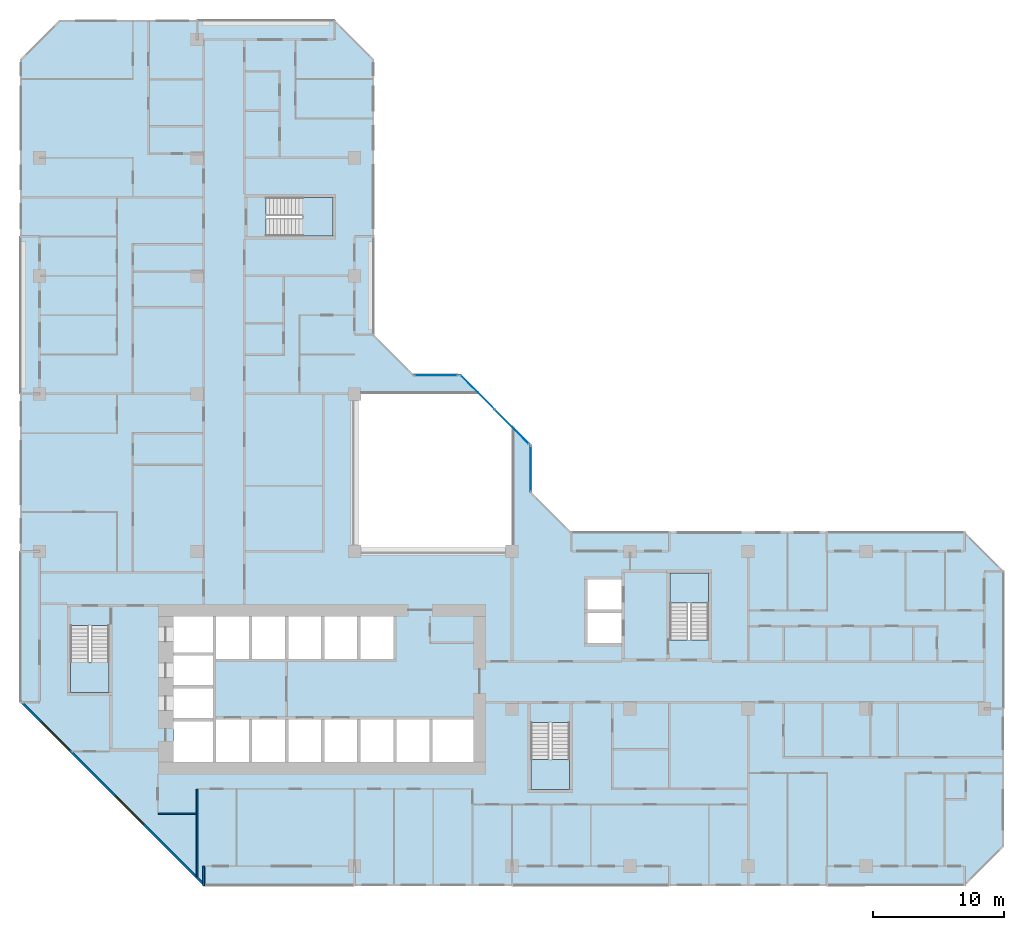
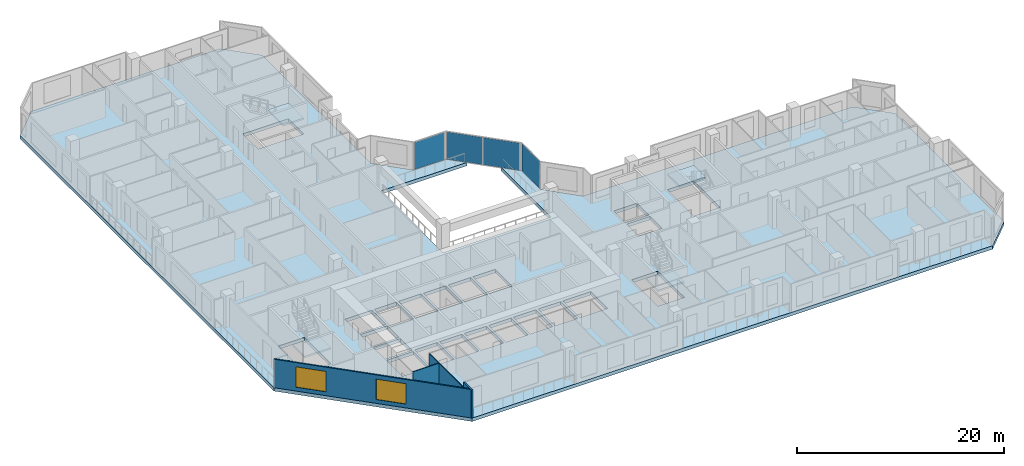
# One storey, part 3 of 16: 5 slabs, 4 plates, 4 walls, 2 windows, 2 openings, 7 elements without a shape of their own.
"""IFC4 building model written with IfcOpenShell, lengths in metres."""

from ifc_helpers import new_model, si_unit, direction, frame, frame_2d, origin, origin_2d, place, context, subcontext, project, spatial, polyline, rectangle, outline, extrude, material, layer, layer_set, type_object, element, fill, aggregate, save


model = new_model("IFC4")

# Units and contexts
model_context = context("Model", 3, precision=1e-05, world=origin(), true_north=direction((0.0, 1.0)))
body_context = subcontext(model_context, "Body", "Model", "MODEL_VIEW")
ifc_project = project(units=[si_unit("LENGTHUNIT", "METRE"), si_unit("AREAUNIT", "SQUARE_METRE"), si_unit("VOLUMEUNIT", "CUBIC_METRE"), si_unit("PLANEANGLEUNIT", "RADIAN"), si_unit("MASSUNIT", "GRAM", prefix="KILO")], contexts=[model_context])

# Site, building, storey
site_placement = place(None, origin())
site = spatial("IfcSite", under=ifc_project, at=site_placement, CompositionType="ELEMENT")
building_placement = place(site_placement, origin())
building = spatial("IfcBuilding", under=site, at=building_placement, Name="Chenar Terraces", CompositionType="ELEMENT")
storey_placement = place(building_placement, frame((0.0, 0.0, 103.14990234375)))
storey = spatial("IfcBuildingStorey", under=building, at=storey_placement, Name="L23", CompositionType="ELEMENT", Elevation=103.14990234375)

# Curtain wall, plate
ifc_material_1 = material(Name="Aluminium framed glazing", Category="aluminium")
ifc_layer_1 = layer(ifc_material_1, 0.14990234375)
ifc_layer_set_1 = layer_set([ifc_layer_1], Name="Aluminium framed glazing")
curtain_wall_type = type_object("IfcCurtainWallType", Name="Atrium curtain wall", PredefinedType="NOTDEFINED", material=ifc_layer_set_1)
placement_1 = place(storey_placement, origin())
curtain_wall_1 = element("IfcCurtainWall", 1, at=placement_1, inside=storey, type_object=curtain_wall_type, Name="Atrium curtain wall", PredefinedType="NOTDEFINED")
ifc_material_2 = material(Name="Low emissivity laminated glass, solar control coating", Category="glass")
ifc_layer_2 = layer(ifc_material_2, 0.028076171875)
ifc_layer_set_2 = layer_set([ifc_layer_2], Name="Low emissivity laminated glass, solar control coating")
plate_type = type_object("IfcPlateType", Name="Atrium glazing panel 28", PredefinedType="CURTAIN_PANEL", material=ifc_layer_set_2)
plate_1_placement = place(storey_placement, frame((37.425048828125, 30.300048828125, 0.06005859375), z_axis=(0.0, 0.0, 1.0), x_axis=(0.0, 1.0, 0.0)))
plate_1 = element("IfcPlate", 2, at=plate_1_placement, type_object=plate_type, Name="CW1-1 panel 1.1", PredefinedType="CURTAIN_PANEL", context=body_context, shape_type="SweptSolid", body=[
    extrude(rectangle(XDim=3.47998046875, YDim=0.028076171875, at=origin_2d()), origin(), (0.0, 0.0, 1.0), 3.22998046875),
])
aggregate(curtain_wall_1, [plate_1])

# Curtain wall, plates
curtain_wall_2 = element("IfcCurtainWall", 3, at=placement_1, inside=storey, type_object=curtain_wall_type, Name="Atrium curtain wall", PredefinedType="NOTDEFINED")
plate_2_placement = place(storey_placement, frame((35.980224609375, 33.513671875, 0.06005859375), z_axis=(0.0, 0.0, 1.0), x_axis=(-0.707106781187, 0.707106781187, 0.0)))
plate_2 = element("IfcPlate", 4, at=plate_2_placement, type_object=plate_type, Name="CW1-2 panel 1.1", PredefinedType="CURTAIN_PANEL", context=body_context, shape_type="SweptSolid", body=[
    extrude(rectangle(XDim=3.62841796875, YDim=0.028076171875, at=origin_2d()), origin(), (0.0, 0.0, 1.0), 3.22998046875),
])
plate_3_placement = place(storey_placement, frame((33.3720703125, 36.121826171875, 0.06005859375), z_axis=(0.0, 0.0, 1.0), x_axis=(-0.707106781187, 0.707106781187, 0.0)))
plate_3 = element("IfcPlate", 5, at=plate_3_placement, type_object=plate_type, Name="CW1-2 panel 2.1", PredefinedType="CURTAIN_PANEL", context=body_context, shape_type="SweptSolid", body=[
    extrude(rectangle(XDim=3.62841796875, YDim=0.028076171875, at=origin_2d()), origin(), (0.0, 0.0, 1.0), 3.22998046875),
])
aggregate(curtain_wall_2, [plate_2, plate_3])

# Curtain wall, plate
curtain_wall_3 = element("IfcCurtainWall", 6, at=placement_1, inside=storey, type_object=curtain_wall_type, Name="Atrium curtain wall", PredefinedType="NOTDEFINED")
plate_4_placement = place(storey_placement, frame((30.199951171875, 37.425048828125, 0.06005859375), z_axis=(0.0, 0.0, 1.0), x_axis=(-1.0, 0.0, 0.0)))
plate_4 = element("IfcPlate", 7, at=plate_4_placement, type_object=plate_type, Name="CW1-3 panel 1.1", PredefinedType="CURTAIN_PANEL", context=body_context, shape_type="SweptSolid", body=[
    extrude(rectangle(XDim=3.280029296875, YDim=0.028076171875, at=origin_2d()), origin(), (0.0, 0.0, 1.0), 3.22998046875),
])
aggregate(curtain_wall_3, [plate_4])

# Stair, slab
ifc_material_3 = material(Name="Reinforced concrete C40/50", Category="concrete")
stair_type = type_object("IfcStairType", Name="Core stair 1400 half-turn", PredefinedType="HALF_TURN_STAIR", material=ifc_material_3)
stair_1 = element("IfcStair", 8, at=placement_1, inside=storey, type_object=stair_type, Name="L23 Stair 1", PredefinedType="HALF_TURN_STAIR")
ifc_material_4 = material(Name="Reinforced concrete C40/50", Category="concrete")
ifc_layer_3 = layer(ifc_material_4, 0.199951171875)
ifc_layer_set_3 = layer_set([ifc_layer_3], Name="Reinforced concrete C40/50")
slab_type_1 = type_object("IfcSlabType", Name="Core stair landing 200", PredefinedType="LANDING", material=ifc_layer_set_3)
placement_2 = place(storey_placement, frame((0.0, 0.0, 1.675048828125)))
slab_1 = element("IfcSlab", 9, at=placement_2, type_object=slab_type_1, Name="ST1 landing 1", PredefinedType="LANDING", context=body_context, shape_type="SweptSolid", body=[
    extrude(outline(polyline([(2.35009765625, 15.550048828125), (2.35009765625, 13.25), (5.300048828125, 13.25), (5.300048828125, 15.550048828125), (2.35009765625, 15.550048828125)])), origin(), (0.0, 0.0, 1.0), 0.199951171875),
])
aggregate(stair_1, [slab_1])

stair_2 = element("IfcStair", 10, at=placement_1, inside=storey, type_object=stair_type, Name="L23 Stair 2", PredefinedType="HALF_TURN_STAIR")
slab_2 = element("IfcSlab", 11, at=placement_2, type_object=slab_type_1, Name="ST2 landing 1", PredefinedType="LANDING", context=body_context, shape_type="SweptSolid", body=[
    extrude(outline(polyline([(37.449951171875, 8.14990234375), (37.449951171875, 5.85009765625), (40.39990234375, 5.85009765625), (40.39990234375, 8.14990234375), (37.449951171875, 8.14990234375)])), origin(), (0.0, 0.0, 1.0), 0.199951171875),
])
aggregate(stair_2, [slab_2])

stair_3 = element("IfcStair", 12, at=placement_1, inside=storey, type_object=stair_type, Name="L23 Stair 3", PredefinedType="HALF_TURN_STAIR")
slab_3 = element("IfcSlab", 13, at=placement_2, type_object=slab_type_1, Name="ST3 landing 1", PredefinedType="LANDING", context=body_context, shape_type="SweptSolid", body=[
    extrude(outline(polyline([(50.97509765625, 20.050048828125), (50.97509765625, 22.35009765625), (48.02490234375, 22.35009765625), (48.02490234375, 20.050048828125), (50.97509765625, 20.050048828125)])), origin(), (0.0, 0.0, 1.0), 0.199951171875),
])
aggregate(stair_3, [slab_3])

stair_4 = element("IfcStair", 14, at=placement_1, inside=storey, type_object=stair_type, Name="L23 Stair 4", PredefinedType="HALF_TURN_STAIR")
slab_4 = element("IfcSlab", 15, at=placement_2, type_object=slab_type_1, Name="ST4 landing 1", PredefinedType="LANDING", context=body_context, shape_type="SweptSolid", body=[
    extrude(outline(polyline([(20.050048828125, 48.02490234375), (22.35009765625, 48.02490234375), (22.35009765625, 50.97509765625), (20.050048828125, 50.97509765625), (20.050048828125, 48.02490234375)])), origin(), (0.0, 0.0, 1.0), 0.199951171875),
])
aggregate(stair_4, [slab_4])

# Slab
ifc_material_5 = material(Name="Concrete C40/50", Category="concrete")
ifc_layer_4 = layer(ifc_material_5, 0.39990234375)
ifc_layer_set_4 = layer_set([ifc_layer_4], Name="Concrete C40/50")
slab_type_2 = type_object("IfcSlabType", Name="Floor slab 400 Concrete C40/50", PredefinedType="FLOOR", material=ifc_layer_set_4)
slab_5_placement = place(storey_placement, frame((0.0, 0.0, -0.39990234375)))
element("IfcSlab", 16, at=slab_5_placement, inside=storey, type_object=slab_type_2, Name="Floor slab L23", PredefinedType="FLOOR", context=body_context, shape_type="SweptSolid", body=[
    extrude(outline(polyline([(73.5, 22.5), (73.5, 1.5), (70.5, -1.5), (12.5, -1.5), (-1.5, 12.5), (-1.5, 61.5), (1.5, 64.5), (22.5, 64.5), (25.5, 61.5), (25.5, 40.5), (28.5, 37.5), (32.10009765625, 37.5), (33.60009765625, 36.0), (24.0, 36.0), (24.0, 24.0), (36.0, 24.0), (36.0, 33.60009765625), (37.5, 32.10009765625), (37.5, 28.5), (40.5, 25.5), (70.5, 25.5), (73.5, 22.5)]), holes=[polyline([(13.199951171875, 11.050048828125), (10.199951171875, 11.050048828125), (10.199951171875, 7.949951171875), (13.199951171875, 7.949951171875), (13.199951171875, 11.050048828125)]), polyline([(15.949951171875, 11.199951171875), (13.449951171875, 11.199951171875), (13.449951171875, 7.949951171875), (15.949951171875, 7.949951171875), (15.949951171875, 11.199951171875)]), polyline([(18.699951171875, 11.199951171875), (16.199951171875, 11.199951171875), (16.199951171875, 7.949951171875), (18.699951171875, 7.949951171875), (18.699951171875, 11.199951171875)]), polyline([(21.449951171875, 7.949951171875), (21.449951171875, 11.199951171875), (18.949951171875, 11.199951171875), (18.949951171875, 7.949951171875), (21.449951171875, 7.949951171875)]), polyline([(13.199951171875, 11.300048828125), (13.199951171875, 13.550048828125), (10.199951171875, 13.550048828125), (10.199951171875, 11.300048828125), (13.199951171875, 11.300048828125)]), polyline([(13.199951171875, 16.050048828125), (10.199951171875, 16.050048828125), (10.199951171875, 13.800048828125), (13.199951171875, 13.800048828125), (13.199951171875, 16.050048828125)]), polyline([(2.35009765625, 18.35009765625), (2.35009765625, 13.25), (5.300048828125, 13.25), (5.300048828125, 18.35009765625), (2.35009765625, 18.35009765625)]), polyline([(15.949951171875, 15.800048828125), (15.949951171875, 19.050048828125), (13.449951171875, 19.050048828125), (13.449951171875, 15.800048828125), (15.949951171875, 15.800048828125)]), polyline([(18.699951171875, 19.050048828125), (16.199951171875, 19.050048828125), (16.199951171875, 15.800048828125), (18.699951171875, 15.800048828125), (18.699951171875, 19.050048828125)]), polyline([(21.449951171875, 15.800048828125), (21.449951171875, 19.050048828125), (18.949951171875, 19.050048828125), (18.949951171875, 15.800048828125), (21.449951171875, 15.800048828125)]), polyline([(13.199951171875, 16.300048828125), (13.199951171875, 19.050048828125), (10.199951171875, 19.050048828125), (10.199951171875, 16.300048828125), (13.199951171875, 16.300048828125)]), polyline([(22.35009765625, 48.02490234375), (22.35009765625, 50.97509765625), (17.25, 50.97509765625), (17.25, 48.02490234375), (22.35009765625, 48.02490234375)]), polyline([(37.449951171875, 10.949951171875), (37.449951171875, 5.85009765625), (40.39990234375, 5.85009765625), (40.39990234375, 10.949951171875), (37.449951171875, 10.949951171875)]), polyline([(24.199951171875, 7.949951171875), (24.199951171875, 11.199951171875), (21.699951171875, 11.199951171875), (21.699951171875, 7.949951171875), (24.199951171875, 7.949951171875)]), polyline([(26.949951171875, 11.199951171875), (24.449951171875, 11.199951171875), (24.449951171875, 7.949951171875), (26.949951171875, 7.949951171875), (26.949951171875, 11.199951171875)]), polyline([(29.699951171875, 7.949951171875), (29.699951171875, 11.199951171875), (27.199951171875, 11.199951171875), (27.199951171875, 7.949951171875), (29.699951171875, 7.949951171875)]), polyline([(33.050048828125, 7.949951171875), (33.050048828125, 11.199951171875), (29.949951171875, 11.199951171875), (29.949951171875, 7.949951171875), (33.050048828125, 7.949951171875)]), polyline([(24.199951171875, 19.050048828125), (21.699951171875, 19.050048828125), (21.699951171875, 15.800048828125), (24.199951171875, 15.800048828125), (24.199951171875, 19.050048828125)]), polyline([(26.949951171875, 15.800048828125), (26.949951171875, 19.050048828125), (24.449951171875, 19.050048828125), (24.449951171875, 15.800048828125), (26.949951171875, 15.800048828125)]), polyline([(44.35009765625, 17.0), (44.35009765625, 19.300048828125), (41.75, 19.300048828125), (41.75, 17.0), (44.35009765625, 17.0)]), polyline([(50.97509765625, 22.35009765625), (48.02490234375, 22.35009765625), (48.02490234375, 17.25), (50.97509765625, 17.25), (50.97509765625, 22.35009765625)]), polyline([(44.35009765625, 19.550048828125), (44.35009765625, 21.85009765625), (41.75, 21.85009765625), (41.75, 19.550048828125), (44.35009765625, 19.550048828125)])]), origin(), (0.0, 0.0, 1.0), 0.39990234375),
])

# Walls
ifc_material_6 = material(Name="Gypsum board on steel studs", Category="steel")
ifc_layer_5 = layer(ifc_material_6, 0.10009765625)
ifc_layer_set_5 = layer_set([ifc_layer_5], Name="Gypsum board on steel studs")
wall_type_1 = type_object("IfcWallType", Name="Gypsum partition 100", PredefinedType="PARTITIONING", material=ifc_layer_set_5)
wall_1_placement = place(storey_placement, frame((9.050048828125, 4.0, 0.0), z_axis=(0.0, 0.0, 1.0), x_axis=(1.0, 0.0, 0.0)))
element("IfcWall", 17, at=wall_1_placement, inside=storey, type_object=wall_type_1, Name="Partition L23-031", PredefinedType="PARTITIONING", context=body_context, shape_type="SweptSolid", body=[
    extrude(rectangle(XDim=2.89990234375, YDim=0.10009765625, at=frame_2d((1.449951171875, 0.0))), origin(), (0.0, 0.0, 1.0), 3.35009765625),
])
wall_2_placement = place(storey_placement, frame((12.0, -0.787841796875, 0.0), z_axis=(0.0, 0.0, 1.0), x_axis=(0.0, 1.0, 0.0)))
element("IfcWall", 18, at=wall_2_placement, inside=storey, type_object=wall_type_1, Name="Partition L23-033", PredefinedType="PARTITIONING", context=body_context, shape_type="SweptSolid", body=[
    extrude(rectangle(XDim=6.637939453125, YDim=0.10009765625, at=frame_2d((3.31884765625, 0.0))), origin(), (0.0, 0.0, 1.0), 3.35009765625),
])
ifc_material_7 = material(Name="Terracotta cladding on insulated backing", Category="masonry")
ifc_layer_6 = layer(ifc_material_7, 0.14990234375)
ifc_layer_set_6 = layer_set([ifc_layer_6], Name="Terracotta cladding on insulated backing")
wall_type_2 = type_object("IfcWallType", Name="Loggia return wall 150", PredefinedType="SOLIDWALL", material=ifc_layer_set_6)
wall_3_placement = place(storey_placement, frame((12.5, -1.5, 0.0), z_axis=(0.0, 0.0, 1.0), x_axis=(0.0, 1.0, 0.0)))
element("IfcWall", 19, at=wall_3_placement, inside=storey, type_object=wall_type_2, Name="Loggia return wall", PredefinedType="SOLIDWALL", context=body_context, shape_type="SweptSolid", body=[
    extrude(rectangle(XDim=1.5, YDim=0.14990234375, at=frame_2d((0.75, 0.0))), origin(), (0.0, 0.0, 1.0), 3.35009765625),
])

# Wall, openings, windows
ifc_material_8 = material(Name="Terracotta cladding on insulated backing", Category="masonry")
ifc_layer_7 = layer(ifc_material_8, 0.14990234375)
ifc_layer_set_7 = layer_set([ifc_layer_7], Name="Terracotta cladding on insulated backing")
wall_type_3 = type_object("IfcWallType", Name="Terracotta rainscreen wall 150", PredefinedType="SOLIDWALL", material=ifc_layer_set_7)
wall_4_placement = place(storey_placement, frame((-1.447021484375, 12.552978515625, 0.0), z_axis=(0.0, 0.0, 1.0), x_axis=(0.707106781187, -0.707106781187, 0.0)))
wall_4 = element("IfcWall", 20, at=wall_4_placement, inside=storey, type_object=wall_type_3, Name="Terracotta rainscreen wall", PredefinedType="SOLIDWALL", context=body_context, shape_type="SweptSolid", body=[
    extrude(rectangle(XDim=19.799072265625, YDim=0.14990234375, at=frame_2d((9.8994140625, 0.0))), origin(), (0.0, 0.0, 1.0), 3.35009765625),
])
opening_1_placement = place(wall_4_placement, frame((2.21240234375, 0.0, 0.449951171875)))
opening_1 = element("IfcOpeningElement", 21, at=opening_1_placement, cuts=wall_4, Name="Opening W300x240", PredefinedType="OPENING", context=body_context, shape_type="SweptSolid", body=[
    extrude(rectangle(XDim=3.0, YDim=2.39990234375, at=frame_2d((1.5, 1.199951171875))), frame((0.0, 0.0849609375, 0.0), z_axis=(0.0, -1.0, 0.0), x_axis=(1.0, 0.0, 0.0)), (0.0, 0.0, 1.0), 0.169921875),
])
opening_2_placement = place(wall_4_placement, frame((10.215576171875, 0.0, 0.449951171875)))
opening_2 = element("IfcOpeningElement", 22, at=opening_2_placement, cuts=wall_4, Name="Opening W300x240", PredefinedType="OPENING", context=body_context, shape_type="SweptSolid", body=[
    extrude(rectangle(XDim=3.0, YDim=2.39990234375, at=frame_2d((1.5, 1.199951171875))), frame((0.0, 0.0849609375, 0.0), z_axis=(0.0, -1.0, 0.0), x_axis=(1.0, 0.0, 0.0)), (0.0, 0.0, 1.0), 0.169921875),
])
ifc_material_9 = material(Name="Low emissivity double glazing, aluminium frame", Category="aluminium")
window_type = type_object("IfcWindowType", Name="Fixed light 3000 x 2400", PartitioningType="SINGLE_PANEL", PredefinedType="WINDOW", material=ifc_material_9)
window_1_placement = place(opening_1_placement, origin())
window_1 = element("IfcWindow", 23, at=window_1_placement, inside=storey, type_object=window_type, Name="Window", OverallHeight=2.39990234375, OverallWidth=3.0, PartitioningType="SINGLE_PANEL", PredefinedType="WINDOW", context=body_context, shape_type="SweptSolid", body=[
    extrude(rectangle(XDim=3.0, YDim=2.39990234375, at=frame_2d((1.5, 1.199951171875))), frame((0.0, 0.030029296875, 0.0), z_axis=(0.0, -1.0, 0.0), x_axis=(1.0, 0.0, 0.0)), (0.0, 0.0, 1.0), 0.06005859375),
])
fill(opening_1, window_1)
window_2_placement = place(opening_2_placement, origin())
window_2 = element("IfcWindow", 24, at=window_2_placement, inside=storey, type_object=window_type, Name="Window", OverallHeight=2.39990234375, OverallWidth=3.0, PartitioningType="SINGLE_PANEL", PredefinedType="WINDOW", context=body_context, shape_type="SweptSolid", body=[
    extrude(rectangle(XDim=3.0, YDim=2.39990234375, at=frame_2d((1.5, 1.199951171875))), frame((0.0, 0.030029296875, 0.0), z_axis=(0.0, -1.0, 0.0), x_axis=(1.0, 0.0, 0.0)), (0.0, 0.0, 1.0), 0.06005859375),
])
fill(opening_2, window_2)

save(model, "model.ifc")
